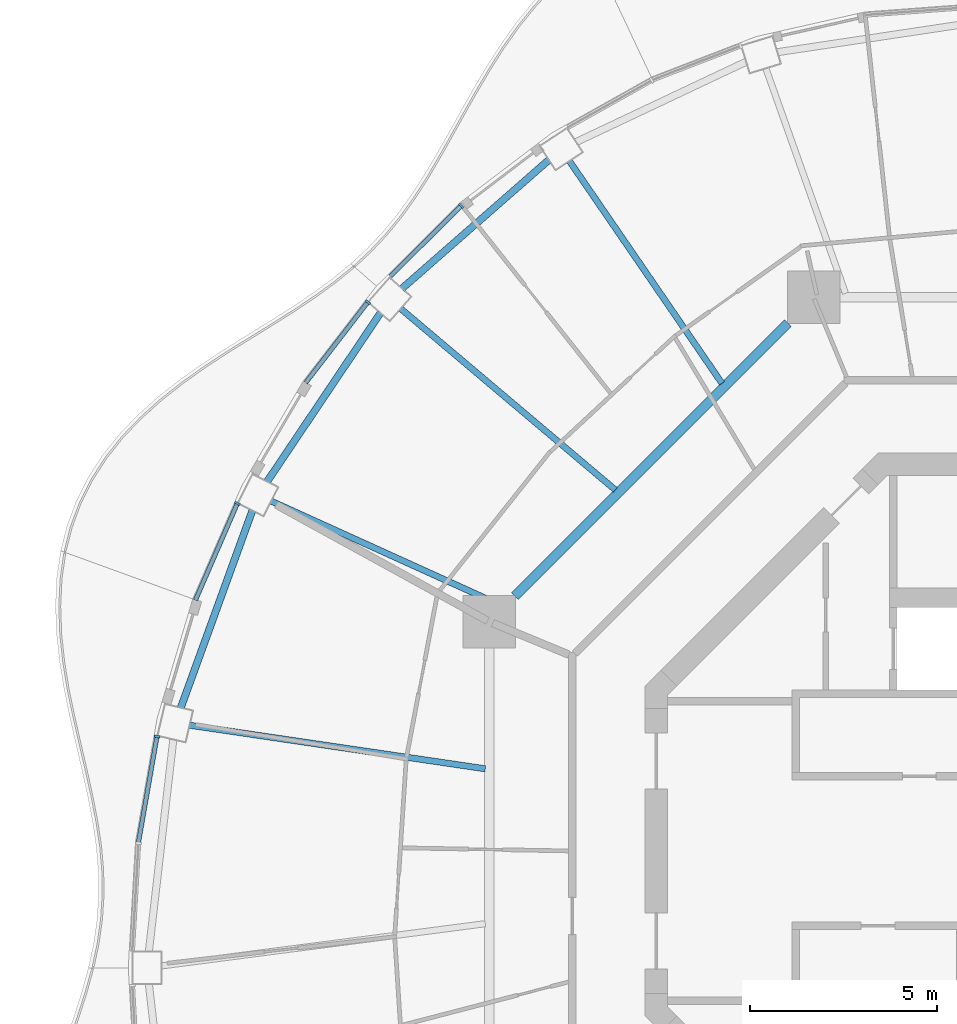
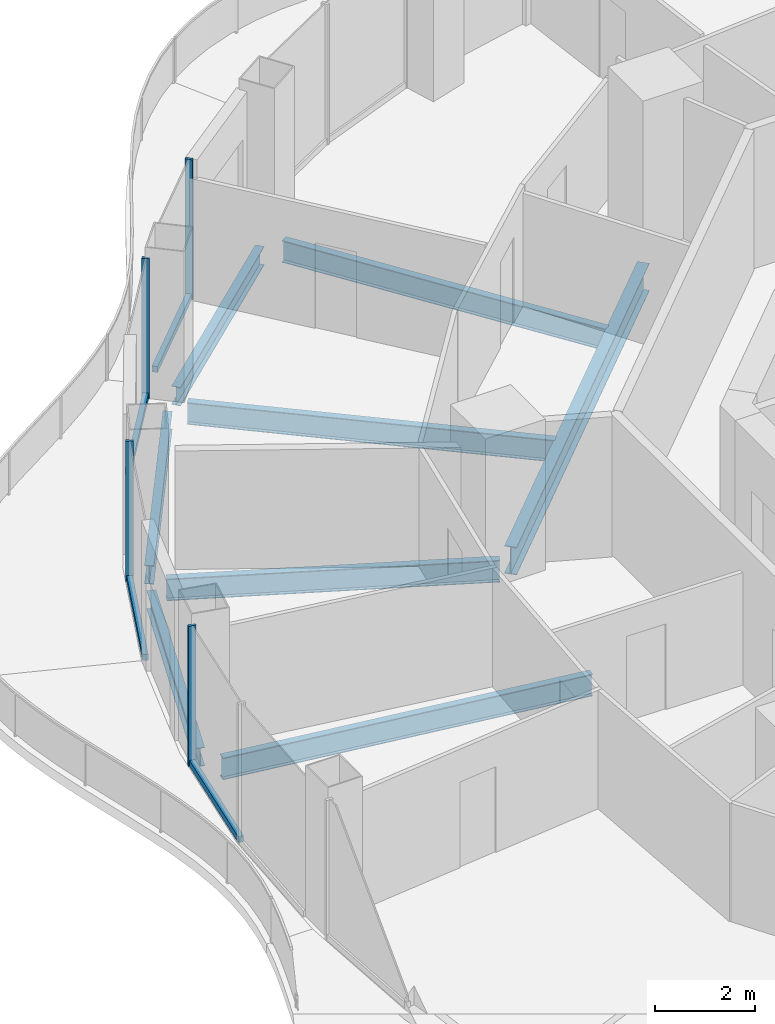
# One storey, part 5 of 17: 8 beams, 8 members, 4 elements without a shape of their own.
"""IFC4 building model written with IfcOpenShell, lengths in metres."""

import ifcopenshell
import ifcopenshell.guid

model = None  # the IFC model being written
_history = None  # IfcOwnerHistory: only IFC2X3 demands one
_inside = {}  # id of a spatial element -> (the spatial element, [elements in it])
_under = {}  # id of a project, library or spatial element -> (it, [spatial elements below it])
_declared = {}  # id of a project -> (the project, [libraries it declares])
_typed = {}  # id of a type object -> (the type object, [elements of that type])
_made_of = {}  # id of a material, layer set ... -> (it, [elements and type objects made of it])


def new_model(schema):
    """Start an empty IFC model of exactly this schema.

    Asked for "IFC4X3", IfcOpenShell would pick the latest addendum, in which some entities
    have other attributes; the version numbers below select the first issue.
    IFC2X3 requires an IfcOwnerHistory on every rooted entity: one is made here for all.
    """
    global model, _history
    if schema == "IFC4X3":
        model = ifcopenshell.file(schema_version=(4, 3, 0, 0))
    else:
        model = ifcopenshell.file(schema=schema)
    _inside.clear()
    _under.clear()
    _declared.clear()
    _typed.clear()
    _made_of.clear()
    _history = None
    if model.schema == "IFC2X3":
        org = make("IfcOrganization", Name="unknown")
        user = make(
            "IfcPersonAndOrganization",
            ThePerson=make("IfcPerson", FamilyName="unknown"),
            TheOrganization=org,
        )
        app = make(
            "IfcApplication",
            ApplicationDeveloper=org,
            Version="unknown",
            ApplicationFullName="unknown",
            ApplicationIdentifier="unknown",
        )
        _history = make(
            "IfcOwnerHistory",
            OwningUser=user,
            OwningApplication=app,
            ChangeAction="ADDED",
            CreationDate=0,
        )
    return model


def make(cls, **values):
    """One entity of the class cls with the attributes given. An attribute that is None is left unset."""
    return model.create_entity(
        cls, **{name: value for name, value in values.items() if value is not None}
    )


def rooted(cls, **values):
    """An entity with a GlobalId (a new one), such as an element, a storey or a relation."""
    return make(cls, GlobalId=ifcopenshell.guid.new(), OwnerHistory=_history, **values)


def si_unit(unit_type, name, prefix=None):
    """IfcSIUnit, for example si_unit("LENGTHUNIT", "METRE", prefix="MILLI")."""
    return make("IfcSIUnit", UnitType=unit_type, Prefix=prefix, Name=name)


def assignment(units):
    """IfcUnitAssignment: the units of a project."""
    return None if units is None else make("IfcUnitAssignment", Units=units)


def point(xyz):
    """IfcCartesianPoint."""
    return None if xyz is None else make("IfcCartesianPoint", Coordinates=xyz)


def direction(xyz):
    """IfcDirection."""
    return None if xyz is None else make("IfcDirection", DirectionRatios=xyz)


def frame(location, z_axis=None, x_axis=None):
    """IfcAxis2Placement3D, a coordinate frame: its origin and axes. An axis left out is left unset."""
    return make(
        "IfcAxis2Placement3D",
        Location=point(location),
        Axis=direction(z_axis),
        RefDirection=direction(x_axis),
    )


def frame_2d(location, x_axis=None):
    """IfcAxis2Placement2D, a coordinate frame in the plane: its origin and x axis."""
    return make(
        "IfcAxis2Placement2D", Location=point(location), RefDirection=direction(x_axis)
    )


def origin():
    """The frame at (0, 0, 0) with its axes left unset."""
    return frame((0.0, 0.0, 0.0))


def origin_2d():
    """The frame at (0, 0) in the plane with its x axis left unset."""
    return frame_2d((0.0, 0.0))


def place(relative_to, where):
    """IfcLocalPlacement: puts the frame where relative to a parent placement (None: the world)."""
    return make(
        "IfcLocalPlacement", PlacementRelTo=relative_to, RelativePlacement=where
    )


def context(
    kind, dimensions, precision=None, world=None, true_north=None, identifier=None
):
    """IfcGeometricRepresentationContext, for example the 3D "Model" context."""
    return make(
        "IfcGeometricRepresentationContext",
        ContextIdentifier=identifier,
        ContextType=kind,
        CoordinateSpaceDimension=dimensions,
        Precision=precision,
        WorldCoordinateSystem=world,
        TrueNorth=true_north,
    )


def subcontext(parent, identifier, kind, view, scale=None):
    """IfcGeometricRepresentationSubContext, for example "Body" below "Model"."""
    return make(
        "IfcGeometricRepresentationSubContext",
        ContextIdentifier=identifier,
        ContextType=kind,
        ParentContext=parent,
        TargetScale=scale,
        TargetView=view,
    )


def project(units=None, contexts=None):
    """IfcProject with its units and contexts."""
    return rooted(
        "IfcProject",
        Name="project",
        RepresentationContexts=contexts,
        UnitsInContext=assignment(units),
    )


def spatial(cls, under=None, at=None, **own):
    """A site, building, storey or space (cls), placed at a placement, below another one or the project."""
    s = rooted(cls, ObjectPlacement=at, **own)
    if under is not None:
        _under.setdefault(under.id(), (under, []))[1].append(s)
    return s


def profile(cls, at=None, kind="AREA", **sizes):
    """A parametric profile (cls). Its sizes go by their IFC names, for example OverallWidth=200.0."""
    return make(cls, ProfileType=kind, Position=at, **sizes)


def rectangle(**sizes):
    """IfcRectangleProfileDef."""
    return profile("IfcRectangleProfileDef", **sizes)


def i_section(**sizes):
    """IfcIShapeProfileDef."""
    return profile("IfcIShapeProfileDef", **sizes)


def extrude(swept, where, along, depth):
    """IfcExtrudedAreaSolid: the profile swept, set in the frame where, extruded along a direction by depth."""
    return make(
        "IfcExtrudedAreaSolid",
        SweptArea=swept,
        Position=where,
        ExtrudedDirection=direction(along),
        Depth=depth,
    )


def shape(context_of_items, identifier, shape_type, items):
    """IfcShapeRepresentation: the items that make up one representation, for example the "Body"."""
    return make(
        "IfcShapeRepresentation",
        ContextOfItems=context_of_items,
        RepresentationIdentifier=identifier,
        RepresentationType=shape_type,
        Items=items,
    )


def material(Name=None, Category=None):
    """IfcMaterial."""
    return make("IfcMaterial", Name=Name, Category=Category)


def layer(
    of_material, thickness, ventilated=None, Name=None, Category=None, Priority=None
):
    """IfcMaterialLayer: one layer of a wall or slab, of a material (None: an air gap)."""
    return make(
        "IfcMaterialLayer",
        Material=of_material,
        LayerThickness=thickness,
        IsVentilated=ventilated,
        Name=Name,
        Category=Category,
        Priority=Priority,
    )


def layer_set(layers, Name=None):
    """IfcMaterialLayerSet."""
    return make("IfcMaterialLayerSet", MaterialLayers=layers, LayerSetName=Name)


def material_profile(
    of_material, cross_section, Name=None, Category=None, Priority=None
):
    """IfcMaterialProfile: a cross section and its material."""
    return make(
        "IfcMaterialProfile",
        Name=Name,
        Material=of_material,
        Profile=cross_section,
        Priority=Priority,
        Category=Category,
    )


def profile_set(profiles, Name=None, composite=None):
    """IfcMaterialProfileSet."""
    return make(
        "IfcMaterialProfileSet",
        Name=Name,
        MaterialProfiles=profiles,
        CompositeProfile=composite,
    )


def made_of(thing, what):
    """Note that an element or type object is made of a material, layer set ...; save() writes the relation."""
    if what is not None:
        _made_of.setdefault(what.id(), (what, []))[1].append(thing)
    return thing


def type_object(cls, material=None, **own):
    """A type object (cls), such as IfcWallType, which elements share."""
    return made_of(rooted(cls, **own), material)


def element(
    cls,
    number,
    at=None,
    inside=None,
    cuts=None,
    type_object=None,
    material=None,
    context=None,
    identifier="Body",
    shape_type=None,
    held_by="IfcProductDefinitionShape",
    body=None,
    shapes=None,
    **own,
):
    """One element of the class cls, such as IfcWall. Its Tag is "e" and its number.

    at: its placement. inside: the storey or other place that contains it. cuts: it is an
    opening in that element (IfcRelVoidsElement). A single representation is given by context,
    identifier, shape_type and body (its items); several are given by shapes. held_by: the class
    of the entity that holds the representations. save() writes the other relations.
    """
    e = rooted(cls, Tag="e%d" % number, ObjectPlacement=at, **own)
    if body is not None:
        shapes = [shape(context, identifier, shape_type, body)]
    if shapes is not None:
        e.Representation = make(held_by, Representations=shapes)
    if inside is not None:
        _inside.setdefault(inside.id(), (inside, []))[1].append(e)
    if cuts is not None:
        rooted(
            "IfcRelVoidsElement", RelatingBuildingElement=cuts, RelatedOpeningElement=e
        )
    if type_object is not None:
        _typed.setdefault(type_object.id(), (type_object, []))[1].append(e)
    return made_of(e, material)


def aggregate(whole, parts):
    """IfcRelAggregates: a whole, such as a stair, and the parts it consists of."""
    return rooted("IfcRelAggregates", RelatingObject=whole, RelatedObjects=parts)


def save(model, path):
    """Write the relations noted so far, then the file.

    IfcRelAggregates (storeys below a building ...), IfcRelContainedInSpatialStructure (elements
    in a storey), IfcRelDefinesByType, IfcRelAssociatesMaterial and IfcRelDeclares: one each for
    every whole, place, type object, material and project.
    """
    for whole, parts in _under.values():
        aggregate(whole, parts)
    for where, things in _inside.values():
        rooted(
            "IfcRelContainedInSpatialStructure",
            RelatedElements=things,
            RelatingStructure=where,
        )
    for kind, things in _typed.values():
        rooted("IfcRelDefinesByType", RelatedObjects=things, RelatingType=kind)
    for what, things in _made_of.values():
        rooted("IfcRelAssociatesMaterial", RelatedObjects=things, RelatingMaterial=what)
    for by, libraries in _declared.values():
        rooted("IfcRelDeclares", RelatingContext=by, RelatedDefinitions=libraries)
    model.write(path)


model = new_model("IFC4")

# Units and contexts
model_context = context("Model", 3, precision=1e-05, world=origin(), true_north=direction((0.0, 1.0)))
body_context = subcontext(model_context, "Body", "Model", "MODEL_VIEW")
ifc_project = project(units=[si_unit("LENGTHUNIT", "METRE"), si_unit("AREAUNIT", "SQUARE_METRE"), si_unit("VOLUMEUNIT", "CUBIC_METRE"), si_unit("PLANEANGLEUNIT", "RADIAN"), si_unit("MASSUNIT", "GRAM", prefix="KILO")], contexts=[model_context])

# Site, building, storey
site_placement = place(None, origin())
site = spatial("IfcSite", under=ifc_project, at=site_placement, CompositionType="ELEMENT")
building_placement = place(site_placement, origin())
building = spatial("IfcBuilding", under=site, at=building_placement, Name="Nagisa Residences", CompositionType="ELEMENT")
storey_placement = place(building_placement, frame((0.0, 0.0, 262.199951171875)))
storey = spatial("IfcBuildingStorey", under=building, at=storey_placement, Name="L66", CompositionType="ELEMENT", Elevation=262.199951171875)

# Curtain wall, member
ifc_material_1 = material(Name="Concrete-coloured aluminium curtain wall system", Category="concrete")
ifc_layer = layer(ifc_material_1, 0.159912109375)
ifc_layer_set = layer_set([ifc_layer], Name="CW1 CURTAIN WALL")
curtain_wall_type = type_object("IfcCurtainWallType", Name="CW1 CURTAIN WALL", PredefinedType="NOTDEFINED", material=ifc_layer_set)
curtain_wall_1_placement = place(storey_placement, origin())
curtain_wall_1 = element("IfcCurtainWall", 1, at=curtain_wall_1_placement, inside=storey, type_object=curtain_wall_type, Name="cw:CW1:L66:17", PredefinedType="NOTDEFINED")
ifc_material_2 = material(Name="Concrete-coloured aluminium", Category="concrete")
ifc_material_profile_1 = material_profile(ifc_material_2, rectangle(XDim=0.159912109375, YDim=0.06005859375, at=origin_2d()), Name="CW1 MULLION 160x60")
ifc_profile_set_1 = profile_set([ifc_material_profile_1], Name="Concrete-coloured aluminium")
member_type_1 = type_object("IfcMemberType", Name="CW1 MULLION 160x60", PredefinedType="MULLION", material=ifc_profile_set_1)
member_1_placement = place(storey_placement, frame((-15.534912109375, 17.225341796875, 0.0), z_axis=(0.0, 0.0, 1.0), x_axis=(0.706376885714, -0.707835924016, 0.0)))
member_1 = element("IfcMember", 2, at=member_1_placement, type_object=member_type_1, Name="CW1 mullion", PredefinedType="MULLION", context=body_context, shape_type="SweptSolid", body=[
    extrude(rectangle(XDim=0.159912109375, YDim=0.06005859375, at=origin_2d()), origin(), (0.0, 0.0, 1.0), 3.43994140625),
])

curtain_wall_2_placement = place(storey_placement, origin())
curtain_wall_2 = element("IfcCurtainWall", 3, at=curtain_wall_2_placement, inside=storey, type_object=curtain_wall_type, Name="cw:CW1:L66:18", PredefinedType="NOTDEFINED")
member_2_placement = place(storey_placement, frame((-18.0244140625, 14.654296875, 0.0), z_axis=(0.0, 0.0, 1.0), x_axis=(0.792070340816, -0.610429828235, 0.0)))
member_2 = element("IfcMember", 4, at=member_2_placement, type_object=member_type_1, Name="CW1 mullion", PredefinedType="MULLION", context=body_context, shape_type="SweptSolid", body=[
    extrude(rectangle(XDim=0.159912109375, YDim=0.06005859375, at=origin_2d()), origin(), (0.0, 0.0, 1.0), 3.43994140625),
])

curtain_wall_3_placement = place(storey_placement, origin())
curtain_wall_3 = element("IfcCurtainWall", 5, at=curtain_wall_3_placement, inside=storey, type_object=curtain_wall_type, Name="cw:CW1:L66:20", PredefinedType="NOTDEFINED")
member_3_placement = place(storey_placement, frame((-21.5068359375, 9.280029296875, 0.0), z_axis=(0.0, 0.0, 1.0), x_axis=(0.917543276295, -0.397635934147, 0.0)))
member_3 = element("IfcMember", 6, at=member_3_placement, type_object=member_type_1, Name="CW1 mullion", PredefinedType="MULLION", context=body_context, shape_type="SweptSolid", body=[
    extrude(rectangle(XDim=0.159912109375, YDim=0.06005859375, at=origin_2d()), origin(), (0.0, 0.0, 1.0), 3.43994140625),
])

curtain_wall_4_placement = place(storey_placement, origin())
curtain_wall_4 = element("IfcCurtainWall", 7, at=curtain_wall_4_placement, inside=storey, type_object=curtain_wall_type, Name="cw:CW1:L66:22", PredefinedType="NOTDEFINED")
member_4_placement = place(storey_placement, frame((-23.653076171875, 3.0576171875, 0.0), z_axis=(0.0, 0.0, 1.0), x_axis=(0.985063604377, -0.172190868898, 0.0)))
member_4 = element("IfcMember", 8, at=member_4_placement, type_object=member_type_1, Name="CW1 mullion", PredefinedType="MULLION", context=body_context, shape_type="SweptSolid", body=[
    extrude(rectangle(XDim=0.159912109375, YDim=0.06005859375, at=origin_2d()), origin(), (0.0, 0.0, 1.0), 3.43994140625),
])

# Member
ifc_material_3 = material(Name="Concrete-coloured aluminium", Category="concrete")
ifc_material_profile_2 = material_profile(ifc_material_3, rectangle(XDim=0.1201171875, YDim=0.14990234375, at=origin_2d()), Name="CW1 TRANSOM 120x150")
ifc_profile_set_2 = profile_set([ifc_material_profile_2], Name="Concrete-coloured aluminium")
member_type_2 = type_object("IfcMemberType", Name="CW1 TRANSOM 120x150", PredefinedType="USERDEFINED", material=ifc_profile_set_2)
member_5_placement = place(storey_placement, frame((-15.513671875, 17.24658203125, 0.074951171875), z_axis=(-0.707831739508, -0.706381078841, 0.0), x_axis=(0.706381078841, -0.707831739508, 0.0)))
member_5 = element("IfcMember", 9, at=member_5_placement, type_object=member_type_2, Name="CW1 transom", ObjectType="TRANSOM", PredefinedType="USERDEFINED", context=body_context, shape_type="SweptSolid", body=[
    extrude(rectangle(XDim=0.1201171875, YDim=0.14990234375, at=origin_2d()), origin(), (0.0, 0.0, 1.0), 2.692626953125),
])

aggregate(curtain_wall_1, [member_1, member_5])

member_6_placement = place(storey_placement, frame((-18.006103515625, 14.677978515625, 0.074951171875), z_axis=(-0.610432336622, -0.792068407656, 0.0), x_axis=(0.792068407656, -0.610432336622, 0.0)))
member_6 = element("IfcMember", 10, at=member_6_placement, type_object=member_type_2, Name="CW1 transom", ObjectType="TRANSOM", PredefinedType="USERDEFINED", context=body_context, shape_type="SweptSolid", body=[
    extrude(rectangle(XDim=0.1201171875, YDim=0.14990234375, at=origin_2d()), origin(), (0.0, 0.0, 1.0), 2.74609375),
])

aggregate(curtain_wall_2, [member_2, member_6])

member_7_placement = place(storey_placement, frame((-21.4951171875, 9.3076171875, 0.074951171875), z_axis=(-0.397597791596, -0.9175598052, 0.0), x_axis=(0.9175598052, -0.397597791596, 0.0)))
member_7 = element("IfcMember", 11, at=member_7_placement, type_object=member_type_2, Name="CW1 transom", ObjectType="TRANSOM", PredefinedType="USERDEFINED", context=body_context, shape_type="SweptSolid", body=[
    extrude(rectangle(XDim=0.1201171875, YDim=0.14990234375, at=origin_2d()), origin(), (0.0, 0.0, 1.0), 2.841064453125),
])

aggregate(curtain_wall_3, [member_3, member_7])

member_8_placement = place(storey_placement, frame((-23.64794921875, 3.087158203125, 0.074951171875), z_axis=(-0.172196679668, -0.985062588626, 0.0), x_axis=(0.985062588626, -0.172196679668, 0.0)))
member_8 = element("IfcMember", 12, at=member_8_placement, type_object=member_type_2, Name="CW1 transom", ObjectType="TRANSOM", PredefinedType="USERDEFINED", context=body_context, shape_type="SweptSolid", body=[
    extrude(rectangle(XDim=0.1201171875, YDim=0.14990234375, at=origin_2d()), origin(), (0.0, 0.0, 1.0), 2.90234375),
])

aggregate(curtain_wall_4, [member_4, member_8])

# Beams
ifc_material_4 = material(Name="Steel ASTM A572 Gr 50", Category="steel")
ifc_material_profile_3 = material_profile(ifc_material_4, i_section(OverallWidth=0.2529296875, OverallDepth=0.677978515625, WebThickness=0.01171875, FlangeThickness=0.016357421875, at=origin_2d()), Name="W690x125")
ifc_profile_set_3 = profile_set([ifc_material_profile_3], Name="Steel ASTM A572 Gr 50")
beam_type_1 = type_object("IfcBeamType", Name="Inner ring beam W690x125", PredefinedType="BEAM", material=ifc_profile_set_3)
beam_1_placement = place(storey_placement, frame((-6.808837890625, 14.09619140625, -0.598876953125), z_axis=(-0.707106781187, -0.707106781187, 0.0), x_axis=(0.707106781187, -0.707106781187, 0.0)))
element("IfcBeam", 13, at=beam_1_placement, inside=storey, type_object=beam_type_1, Name="beam:L66:ib3", PredefinedType="BEAM", context=body_context, shape_type="SweptSolid", body=[
    extrude(i_section(OverallWidth=0.2529296875, OverallDepth=0.677978515625, WebThickness=0.01171875, FlangeThickness=0.016357421875, at=origin_2d()), origin(), (0.0, 0.0, 1.0), 10.305908203125),
])
ifc_material_5 = material(Name="Steel ASTM A572 Gr 50", Category="steel")
ifc_material_profile_4 = material_profile(ifc_material_5, i_section(OverallWidth=0.18994140625, OverallDepth=0.45703125, WebThickness=0.009033203125, FlangeThickness=0.014404296875, at=origin_2d()), Name="W460x74")
ifc_profile_set_4 = profile_set([ifc_material_profile_4], Name="Steel ASTM A572 Gr 50")
beam_type_2 = type_object("IfcBeamType", Name="Perimeter ring beam W460x74", PredefinedType="BEAM", material=ifc_profile_set_4)
beam_2_placement = place(storey_placement, frame((-13.186767578125, 18.45458984375, -0.488525390625), z_axis=(-0.752365189148, -0.658746250204, 0.0), x_axis=(0.658746250204, -0.752365189148, 0.0)))
element("IfcBeam", 14, at=beam_2_placement, inside=storey, type_object=beam_type_2, Name="beam:L66:pb09", PredefinedType="BEAM", context=body_context, shape_type="SweptSolid", body=[
    extrude(i_section(OverallWidth=0.18994140625, OverallDepth=0.45703125, WebThickness=0.009033203125, FlangeThickness=0.014404296875, at=origin_2d()), origin(), (0.0, 0.0, 1.0), 5.220947265625),
])
beam_3_placement = place(storey_placement, frame((-17.683349609375, 14.36962890625, -0.488525390625), z_axis=(-0.558035477156, -0.829817092036, 0.0), x_axis=(0.829817092036, -0.558035477156, 0.0)))
element("IfcBeam", 15, at=beam_3_placement, inside=storey, type_object=beam_type_2, Name="beam:L66:pb10", PredefinedType="BEAM", context=body_context, shape_type="SweptSolid", body=[
    extrude(i_section(OverallWidth=0.18994140625, OverallDepth=0.45703125, WebThickness=0.009033203125, FlangeThickness=0.014404296875, at=origin_2d()), origin(), (0.0, 0.0, 1.0), 5.431884765625),
])
beam_4_placement = place(storey_placement, frame((-21.104248046875, 9.094970703125, -0.488525390625), z_axis=(-0.341250304478, -0.9399724622, 0.0), x_axis=(0.9399724622, -0.341250304478, 0.0)))
element("IfcBeam", 16, at=beam_4_placement, inside=storey, type_object=beam_type_2, Name="beam:L66:pb11", PredefinedType="BEAM", context=body_context, shape_type="SweptSolid", body=[
    extrude(i_section(OverallWidth=0.18994140625, OverallDepth=0.45703125, WebThickness=0.009033203125, FlangeThickness=0.014404296875, at=origin_2d()), origin(), (0.0, 0.0, 1.0), 5.609619140625),
])
ifc_material_6 = material(Name="Steel ASTM A572 Gr 50", Category="steel")
ifc_material_profile_5 = material_profile(ifc_material_6, i_section(OverallWidth=0.166015625, OverallDepth=0.534912109375, WebThickness=0.01025390625, FlangeThickness=0.0166015625, at=origin_2d()), Name="W530x85")
ifc_profile_set_5 = profile_set([ifc_material_profile_5], Name="Steel ASTM A572 Gr 50")
beam_type_3 = type_object("IfcBeamType", Name="Radial beam W530x85", PredefinedType="BEAM", material=ifc_profile_set_5)
beam_5_placement = place(storey_placement, frame((-12.64501953125, 18.427490234375, -0.52734375), z_axis=(0.565802292405, -0.824540942531, 0.0), x_axis=(0.824540942531, 0.565802292405, 0.0)))
element("IfcBeam", 17, at=beam_5_placement, inside=storey, type_object=beam_type_3, Name="beam:L66:rb09", PredefinedType="BEAM", context=body_context, shape_type="SweptSolid", body=[
    extrude(i_section(OverallWidth=0.166015625, OverallDepth=0.534912109375, WebThickness=0.01025390625, FlangeThickness=0.0166015625, at=origin_2d()), origin(), (0.0, 0.0, 1.0), 7.204345703125),
])
beam_6_placement = place(storey_placement, frame((-17.15087890625, 14.484375, -0.52734375), z_axis=(0.764006403763, -0.645208660054, 0.0), x_axis=(0.645208660054, 0.764006403763, 0.0)))
element("IfcBeam", 18, at=beam_6_placement, inside=storey, type_object=beam_type_3, Name="beam:L66:rb10", PredefinedType="BEAM", context=body_context, shape_type="SweptSolid", body=[
    extrude(i_section(OverallWidth=0.166015625, OverallDepth=0.534912109375, WebThickness=0.01025390625, FlangeThickness=0.0166015625, at=origin_2d()), origin(), (0.0, 0.0, 1.0), 7.50732421875),
])
beam_7_placement = place(storey_placement, frame((-20.610107421875, 9.34521484375, -0.52734375), z_axis=(0.910751667619, -0.412954476824, 0.0), x_axis=(0.412954476824, 0.910751667619, 0.0)))
element("IfcBeam", 19, at=beam_7_placement, inside=storey, type_object=beam_type_3, Name="beam:L66:rb11", PredefinedType="BEAM", context=body_context, shape_type="SweptSolid", body=[
    extrude(i_section(OverallWidth=0.166015625, OverallDepth=0.534912109375, WebThickness=0.01025390625, FlangeThickness=0.0166015625, at=origin_2d()), origin(), (0.0, 0.0, 1.0), 6.721923828125),
])
beam_8_placement = place(storey_placement, frame((-22.788818359375, 3.359375, -0.52734375), z_axis=(0.989309244243, -0.145832846968, 0.0), x_axis=(0.145832846968, 0.989309244243, 0.0)))
element("IfcBeam", 20, at=beam_8_placement, inside=storey, type_object=beam_type_3, Name="beam:L66:rb12", PredefinedType="BEAM", context=body_context, shape_type="SweptSolid", body=[
    extrude(i_section(OverallWidth=0.166015625, OverallDepth=0.534912109375, WebThickness=0.01025390625, FlangeThickness=0.0166015625, at=origin_2d()), origin(), (0.0, 0.0, 1.0), 7.985595703125),
])

save(model, "model.ifc")
